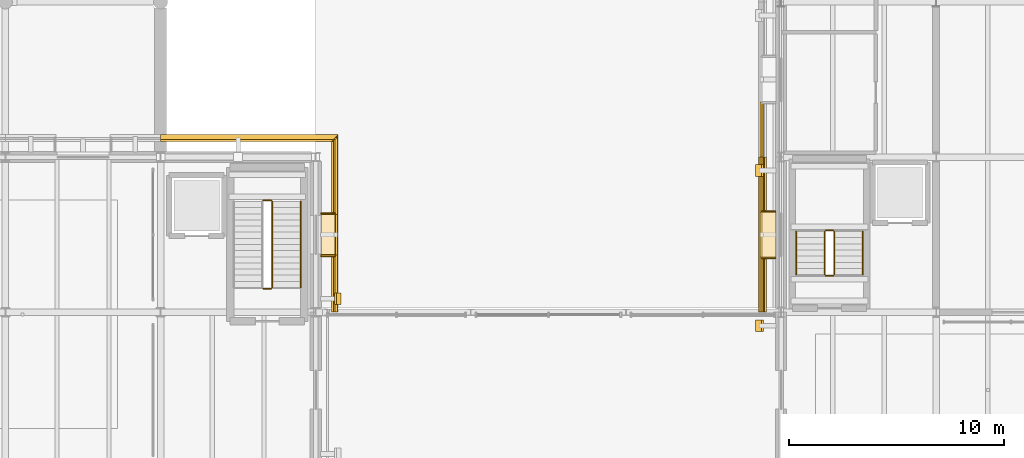
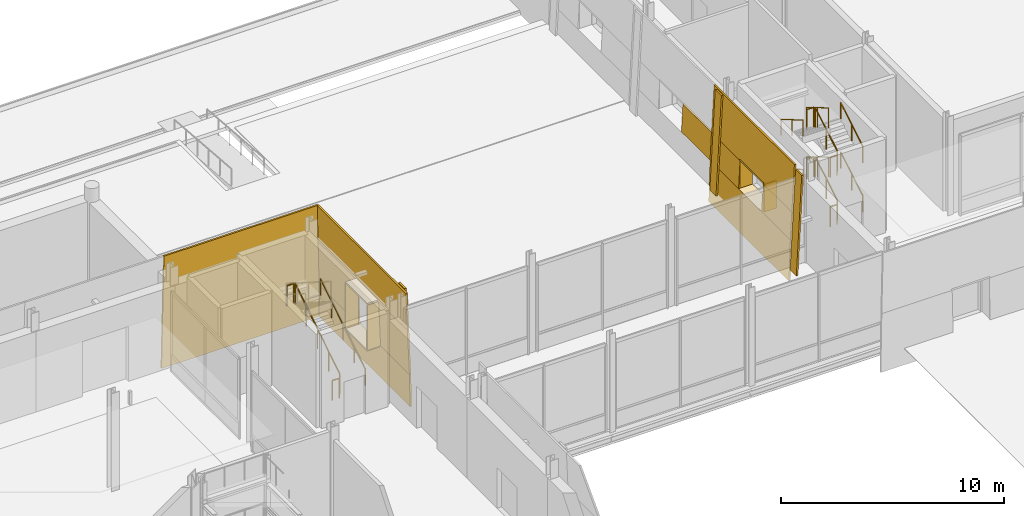
# One storey, part 114 of 120: 21 coverings, 16 railings.
"""IFC4 building model written with IfcOpenShell, lengths in metres."""

from ifc_helpers import new_model, si_unit, direction, frame, origin, origin_2d, place, context, subcontext, project, spatial, polyline, circle, outline, extrude, material, layer, layer_set, type_object, element, save


model = new_model("IFC4")

# Units and contexts
model_context = context("Model", 3, precision=1e-05, world=origin(), true_north=direction((0.0, 1.0)))
body_context = subcontext(model_context, "Body", "Model", "MODEL_VIEW")
ifc_project = project(units=[si_unit("LENGTHUNIT", "METRE"), si_unit("AREAUNIT", "SQUARE_METRE"), si_unit("VOLUMEUNIT", "CUBIC_METRE"), si_unit("PLANEANGLEUNIT", "RADIAN"), si_unit("MASSUNIT", "GRAM", prefix="KILO")], contexts=[model_context])

# Site, building, storey
site_placement = place(None, origin())
site = spatial("IfcSite", under=ifc_project, at=site_placement, CompositionType="ELEMENT")
building_placement = place(site_placement, origin())
building = spatial("IfcBuilding", under=site, at=building_placement, Name="Narikvali Park Central Library", CompositionType="ELEMENT")
storey_placement = place(building_placement, origin())
storey = spatial("IfcBuildingStorey", under=building, at=storey_placement, Name="L00", CompositionType="ELEMENT", Elevation=0.0)

# Coverings
ifc_material_1 = material(Name="White Honed Limestone Cladding", Category="masonry")
ifc_layer_1 = layer(ifc_material_1, 0.0849609375, Name="White Honed Limestone Cladding")
ifc_layer_set_1 = layer_set([ifc_layer_1], Name="White Honed Limestone Cladding")
covering_type_1 = type_object("IfcCoveringType", Name="Battered White Limestone Facade Cladding Panel", PredefinedType="CLADDING", material=ifc_layer_set_1)
covering_1_placement = place(storey_placement, frame((101.97998046875, 86.75, 0.0), z_axis=(0.999163953268, 0.0, 0.040882691821), x_axis=(0.0, 1.0, 0.0)))
element("IfcCovering", 1, at=covering_1_placement, inside=storey, type_object=covering_type_1, Name="V1 L00 E Classical Limestone Pilaster B05", PredefinedType="CLADDING", context=body_context, shape_type="SweptSolid", body=[
    extrude(outline(polyline([(0.0, 0.0), (0.550048828125, 0.0), (0.550048828125, 5.40442069200982), (0.0, 5.40442069200982), (0.0, 0.0)])), origin(), (0.0, 0.0, -1.0), 0.0849609375),
])
covering_2_placement = place(storey_placement, frame((101.840087890625, 86.39990234375, -0.8798828125), z_axis=(0.999785548483, 0.0, 0.020708863899), x_axis=(0.0, 1.0, 0.0)))
element("IfcCovering", 2, at=covering_2_placement, inside=storey, type_object=covering_type_1, Name="V1 L00 E Battered Limestone Spandrel B05", PredefinedType="CLADDING", context=body_context, shape_type="SweptSolid", body=[
    extrude(outline(polyline([(0.0, 0.0), (8.155029296875, 0.0), (8.118408203125, 1.7801669157450828), (0.0, 1.7801669157450828), (0.0, 0.0)])), origin(), (0.0, 0.0, -1.0), 0.0849609375),
])
covering_3_placement = place(storey_placement, frame((101.702880859375, 86.39990234375, 3.35009765625), z_axis=(0.99916170734, 0.0, 0.040937544941), x_axis=(0.0, 1.0, 0.0)))
element("IfcCovering", 3, at=covering_3_placement, inside=storey, type_object=covering_type_1, Name="V1 L00 E Battered Limestone Lintel B05", PredefinedType="CLADDING", context=body_context, shape_type="SweptSolid", body=[
    extrude(outline(polyline([(0.0, 0.0), (8.01806640625, 0.0), (7.93408203125, 2.05152446540155), (0.0, 2.05152446540155), (0.0, 0.0)])), origin(), (0.0, 0.0, -1.0), 0.0849609375),
])
covering_4_placement = place(storey_placement, frame((101.80322265625, 86.39990234375, 0.89990234375), z_axis=(0.999162496768, 0.0, 0.040918272835), x_axis=(0.0, 1.0, 0.0)))
element("IfcCovering", 4, at=covering_4_placement, inside=storey, type_object=covering_type_1, Name="V1 L00 E Battered Limestone Jamb Pier L B05", PredefinedType="CLADDING", context=body_context, shape_type="SweptSolid", body=[
    extrude(outline(polyline([(0.0, 0.0), (2.66015625, 0.0), (2.66015625, 2.4522490790286935), (0.0, 2.4522490790286935), (0.0, 0.0)])), origin(), (0.0, 0.0, -1.0), 0.0849609375),
])
covering_5_placement = place(storey_placement, frame((101.80322265625, 90.93994140625, 0.89990234375), z_axis=(0.999162496768, 0.0, 0.040918272835), x_axis=(0.0, 1.0, 0.0)))
element("IfcCovering", 5, at=covering_5_placement, inside=storey, type_object=covering_type_1, Name="V1 L00 E Battered Limestone Jamb Pier R B05", PredefinedType="CLADDING", context=body_context, shape_type="SweptSolid", body=[
    extrude(outline(polyline([(0.0, 0.0), (3.578369140625, 0.0), (3.47802734375, 2.452249079028694), (0.0, 2.452249079028694), (0.0, 0.0)])), origin(), (0.0, 0.0, -1.0), 0.0849609375),
])
covering_6_placement = place(storey_placement, frame((101.840087890625, 94.639892578125, -0.8798828125), z_axis=(0.0, 0.99938162103, 0.0351621323), x_axis=(-1.0, 0.0, 0.0)))
element("IfcCovering", 6, at=covering_6_placement, inside=storey, type_object=covering_type_1, Name="V1 L00 N Battered Limestone Panel B01", PredefinedType="CLADDING", context=body_context, shape_type="SweptSolid", body=[
    extrude(outline(polyline([(0.0, 0.0), (8.239990234375, 0.0), (8.239990234375, 6.283670846157126), (0.22119140625, 6.283670846157126), (0.0, 0.0)])), origin(), (0.0, 0.0, -1.0), 0.0849609375),
])
covering_7_placement = place(storey_placement, frame((121.430419921875, 96.159912109375, 1.35009765625), z_axis=(-0.998646416446, 0.0, 0.05201283419), x_axis=(0.0, -1.0, 0.0)))
element("IfcCovering", 7, at=covering_7_placement, inside=storey, type_object=covering_type_1, Name="V3 L00 W Battered Limestone Jamb Pier R B03", PredefinedType="CLADDING", context=body_context, shape_type="SweptSolid", body=[
    extrude(outline(polyline([(0.0, 0.0), (2.559814453125, 0.0), (2.559814453125, 1.5020331273394074), (0.0, 1.5020331273394074), (0.0, 0.0)])), origin(), (0.0, 0.0, -1.0), 0.0849609375),
])
covering_8_placement = place(storey_placement, frame((121.219970703125, 93.25, 0.0), z_axis=(-0.998644021289, 0.0, 0.05205880082), x_axis=(0.0, -1.0, 0.0)))
element("IfcCovering", 8, at=covering_8_placement, inside=storey, type_object=covering_type_1, Name="V3 L00 W Classical Limestone Pilaster B04", PredefinedType="CLADDING", context=body_context, shape_type="SweptSolid", body=[
    extrude(outline(polyline([(0.0, 0.0), (0.550048828125, 0.0), (0.550048828125, 5.407234438531675), (0.0, 5.407234438531675), (0.0, 0.0)])), origin(), (0.0, 0.0, -1.0), 0.0849609375),
])
covering_9_placement = place(storey_placement, frame((121.360107421875, 93.60009765625, -0.8798828125), z_axis=(-0.999503282697, 0.0, 0.031514883448), x_axis=(0.0, -1.0, 0.0)))
element("IfcCovering", 9, at=covering_9_placement, inside=storey, type_object=covering_type_1, Name="V3 L00 W Battered Limestone Spandrel B04", PredefinedType="CLADDING", context=body_context, shape_type="SweptSolid", body=[
    extrude(outline(polyline([(0.0, 0.0), (7.2001953125, 0.0), (7.2001953125, 2.2310886891073425), (0.0, 2.2310886891073425), (0.0, 0.0)])), origin(), (0.0, 0.0, -1.0), 0.0849609375),
])
covering_10_placement = place(storey_placement, frame((121.508544921875, 93.60009765625, 2.85009765625), z_axis=(-0.998646209492, 0.0, 0.052016807542), x_axis=(0.0, -1.0, 0.0)))
element("IfcCovering", 10, at=covering_10_placement, inside=storey, type_object=covering_type_1, Name="V3 L00 W Battered Limestone Lintel B04", PredefinedType="CLADDING", context=body_context, shape_type="SweptSolid", body=[
    extrude(outline(polyline([(0.0, 0.0), (7.2001953125, 0.0), (7.2001953125, 2.55326126836899), (0.0, 2.55326126836899), (0.0, 0.0)])), origin(), (0.0, 0.0, -1.0), 0.0849609375),
])
for number, where, z_axis, x_axis, name in (
    (11, (121.430419921875, 93.60009765625, 1.35009765625), (-0.998646416446, 0.0, 0.05201283419), (0.0, -1.0, 0.0), "V3 L00 W Battered Limestone Jamb Pier L B04"),
    (12, (121.430419921875, 88.9599609375, 1.35009765625), (-0.998646416446, 0.0, 0.05201283419), (0.0, -1.0, 0.0), "V3 L00 W Battered Limestone Jamb Pier R B04"),
):
    element("IfcCovering", number, at=place(storey_placement, frame(where, z_axis=z_axis, x_axis=x_axis)), inside=storey, type_object=covering_type_1, Name=name, PredefinedType="CLADDING", context=body_context, shape_type="SweptSolid", body=[
        extrude(outline(polyline([(0.0, 0.0), (2.56005859375, 0.0), (2.56005859375, 1.5020331273394072), (0.0, 1.5020331273394072), (0.0, 0.0)])), origin(), (0.0, 0.0, -1.0), 0.0849609375),
    ])
covering_11_placement = place(storey_placement, frame((121.219970703125, 86.050048828125, 0.0), z_axis=(-0.998644021289, 0.0, 0.05205880082), x_axis=(0.0, -1.0, 0.0)))
element("IfcCovering", 13, at=covering_11_placement, inside=storey, type_object=covering_type_1, Name="V3 L00 W Classical Limestone Pilaster B05", PredefinedType="CLADDING", context=body_context, shape_type="SweptSolid", body=[
    extrude(outline(polyline([(0.0, 0.0), (0.550048828125, 0.0), (0.550048828125, 5.407234438531675), (0.0, 5.407234438531675), (0.0, 0.0)])), origin(), (0.0, 0.0, -1.0), 0.0849609375),
])
ifc_layer_2 = layer(ifc_material_1, 0.080078125, Name="White Honed Limestone Cladding")
ifc_layer_set_2 = layer_set([ifc_layer_2], Name="White Honed Limestone Cladding")
covering_type_2 = type_object("IfcCoveringType", Name="Deep Carved White Limestone Window Reveal", PredefinedType="CLADDING", material=ifc_layer_set_2)
covering_12_placement = place(storey_placement, frame((0.0, 0.0, 3.35009765625)))
element("IfcCovering", 14, at=covering_12_placement, inside=storey, type_object=covering_type_2, Name="Deep Stone Reveal Head V1-RVL-L00-E-B05", PredefinedType="CLADDING", context=body_context, shape_type="SweptSolid", body=[
    extrude(outline(polyline([(101.044921875, 89.02001953125), (101.044921875, 90.97998046875), (101.702880859375, 90.97998046875), (101.702880859375, 89.02001953125), (101.044921875, 89.02001953125)])), origin(), (0.0, 0.0, 1.0), 0.079833984375),
])
covering_13_placement = place(storey_placement, frame((0.0, 0.0, 0.820068359375)))
element("IfcCovering", 15, at=covering_13_placement, inside=storey, type_object=covering_type_2, Name="Deep Stone Reveal Sill V1-RVL-L00-E-B05", PredefinedType="CLADDING", context=body_context, shape_type="SweptSolid", body=[
    extrude(outline(polyline([(101.044921875, 89.02001953125), (101.044921875, 90.97998046875), (101.80322265625, 90.97998046875), (101.80322265625, 89.02001953125), (101.044921875, 89.02001953125)])), origin(), (0.0, 0.0, 1.0), 0.079833984375),
])
covering_14_placement = place(storey_placement, frame((0.0, 0.0, 0.89990234375)))
element("IfcCovering", 16, at=covering_14_placement, inside=storey, type_object=covering_type_2, Name="Deep Stone Reveal Jamb L V1-RVL-L00-E-B05", PredefinedType="CLADDING", context=body_context, shape_type="SweptSolid", body=[
    extrude(outline(polyline([(101.044921875, 88.97998046875), (101.044921875, 89.06005859375), (101.702880859375, 89.06005859375), (101.702880859375, 88.97998046875), (101.044921875, 88.97998046875)])), origin(), (0.0, 0.0, 1.0), 2.4501953125),
])
covering_15_placement = place(storey_placement, frame((0.0, 0.0, 0.89990234375)))
element("IfcCovering", 17, at=covering_15_placement, inside=storey, type_object=covering_type_2, Name="Deep Stone Reveal Jamb R V1-RVL-L00-E-B05", PredefinedType="CLADDING", context=body_context, shape_type="SweptSolid", body=[
    extrude(outline(polyline([(101.044921875, 90.93994140625), (101.044921875, 91.02001953125), (101.702880859375, 91.02001953125), (101.702880859375, 90.93994140625), (101.044921875, 90.93994140625)])), origin(), (0.0, 0.0, 1.0), 2.4501953125),
])
covering_16_placement = place(storey_placement, frame((0.0, 0.0, 2.85009765625)))
element("IfcCovering", 18, at=covering_16_placement, inside=storey, type_object=covering_type_2, Name="Deep Stone Reveal Head V3-RVL-L00-W-B04", PredefinedType="CLADDING", context=body_context, shape_type="SweptSolid", body=[
    extrude(outline(polyline([(122.155029296875, 91.080078125), (122.155029296875, 88.919921875), (121.508544921875, 88.919921875), (121.508544921875, 91.080078125), (122.155029296875, 91.080078125)])), origin(), (0.0, 0.0, 1.0), 0.079833984375),
])
covering_17_placement = place(storey_placement, frame((0.0, 0.0, 1.27001953125)))
element("IfcCovering", 19, at=covering_17_placement, inside=storey, type_object=covering_type_2, Name="Deep Stone Reveal Sill V3-RVL-L00-W-B04", PredefinedType="CLADDING", context=body_context, shape_type="SweptSolid", body=[
    extrude(outline(polyline([(122.155029296875, 91.080078125), (122.155029296875, 88.919921875), (121.430419921875, 88.919921875), (121.430419921875, 91.080078125), (122.155029296875, 91.080078125)])), origin(), (0.0, 0.0, 1.0), 0.080078125),
])
covering_18_placement = place(storey_placement, frame((0.0, 0.0, 1.35009765625)))
element("IfcCovering", 20, at=covering_18_placement, inside=storey, type_object=covering_type_2, Name="Deep Stone Reveal Jamb L V3-RVL-L00-W-B04", PredefinedType="CLADDING", context=body_context, shape_type="SweptSolid", body=[
    extrude(outline(polyline([(122.155029296875, 91.1201171875), (122.155029296875, 91.0400390625), (121.508544921875, 91.0400390625), (121.508544921875, 91.1201171875), (122.155029296875, 91.1201171875)])), origin(), (0.0, 0.0, 1.0), 1.5),
])
covering_19_placement = place(storey_placement, frame((0.0, 0.0, 1.35009765625)))
element("IfcCovering", 21, at=covering_19_placement, inside=storey, type_object=covering_type_2, Name="Deep Stone Reveal Jamb R V3-RVL-L00-W-B04", PredefinedType="CLADDING", context=body_context, shape_type="SweptSolid", body=[
    extrude(outline(polyline([(122.155029296875, 88.9599609375), (122.155029296875, 88.8798828125), (121.508544921875, 88.8798828125), (121.508544921875, 88.9599609375), (122.155029296875, 88.9599609375)])), origin(), (0.0, 0.0, 1.0), 1.5),
])

# Railings
ifc_material_2 = material(Name="Brushed Stainless Steel S355", Category="steel")
ifc_layer_3 = layer(ifc_material_2, 0.044921875, Name="Brushed Stainless Steel S355")
ifc_layer_set_3 = layer_set([ifc_layer_3], Name="Brushed Stainless Steel S355")
railing_type_1 = type_object("IfcRailingType", Name="Stair Tubular Steel Handrail 900", PredefinedType="HANDRAIL", material=ifc_layer_set_3)
railing_1_placement = place(storey_placement, frame((100.10009765625, 87.550048828125, 0.179931640625)))
element("IfcRailing", 22, at=railing_1_placement, inside=storey, type_object=railing_type_1, Name="L00 ST-02 stair handrail 1", PredefinedType="HANDRAIL", context=body_context, shape_type="SweptSolid", body=[
    extrude(circle(Radius=0.02392578125, at=origin_2d()), frame((0.0, 0.0, 0.8759765625), z_axis=(0.0, 0.845486444383, 0.533996884227), x_axis=(-1.0, 0.0, 0.0)), (0.0, 0.0, 1.0), 4.71923828125),
    extrude(circle(Radius=0.02099609375, at=origin_2d()), origin(), (0.0, 0.0, 1.0), 0.851806640625),
    extrude(circle(Radius=0.02099609375, at=origin_2d()), frame((0.0, 0.99755859375, 0.6298828125)), (0.0, 0.0, 1.0), 0.851806640625),
    extrude(circle(Radius=0.02099609375, at=origin_2d()), frame((0.0, 1.9951171875, 1.260009765625)), (0.0, 0.0, 1.0), 0.851806640625),
    extrude(circle(Radius=0.02099609375, at=origin_2d()), frame((0.0, 2.992431640625, 1.89013671875)), (0.0, 0.0, 1.0), 0.851806640625),
    extrude(circle(Radius=0.02099609375, at=origin_2d()), frame((0.0, 3.989990234375, 2.52001953125)), (0.0, 0.0, 1.0), 0.851806640625),
])
railing_2_placement = place(storey_placement, frame((126.199951171875, 88.14990234375, 0.168701171875)))
element("IfcRailing", 23, at=railing_2_placement, inside=storey, type_object=railing_type_1, Name="L00 ST-05 stair handrail 1", PredefinedType="HANDRAIL", context=body_context, shape_type="SweptSolid", body=[
    extrude(circle(Radius=0.02392578125, at=origin_2d()), frame((0.0, 0.0, 0.8759765625), z_axis=(0.0, 0.860460811416, 0.50951662585), x_axis=(-1.0, 0.0, 0.0)), (0.0, 0.0, 1.0), 2.318603515625),
    extrude(circle(Radius=0.02099609375, at=origin_2d()), origin(), (0.0, 0.0, 1.0), 0.851806640625),
    extrude(circle(Radius=0.02099609375, at=origin_2d()), frame((0.0, 0.99755859375, 0.5908203125)), (0.0, 0.0, 1.0), 0.851806640625),
    extrude(circle(Radius=0.02099609375, at=origin_2d()), frame((0.0, 1.9951171875, 1.181396484375)), (0.0, 0.0, 1.0), 0.851806640625),
])
railing_3_placement = place(storey_placement, frame((123.10009765625, 90.14501953125, 1.518798828125)))
element("IfcRailing", 24, at=railing_3_placement, inside=storey, type_object=railing_type_1, Name="L00 ST-05 stair handrail 2", PredefinedType="HANDRAIL", context=body_context, shape_type="SweptSolid", body=[
    extrude(circle(Radius=0.02392578125, at=origin_2d()), frame((0.0, 0.0, 0.8759765625), z_axis=(0.0, -0.860506973166, 0.509438660815), x_axis=(1.0, 0.0, 0.0)), (0.0, 0.0, 1.0), 2.318603515625),
    extrude(circle(Radius=0.02099609375, at=origin_2d()), origin(), (0.0, 0.0, 1.0), 0.851806640625),
    extrude(circle(Radius=0.02099609375, at=origin_2d()), frame((0.0, -0.99755859375, 0.590576171875)), (0.0, 0.0, 1.0), 0.851806640625),
    extrude(circle(Radius=0.02099609375, at=origin_2d()), frame((0.0, -1.9951171875, 1.18115234375)), (0.0, 0.0, 1.0), 0.851806640625),
])
railing_4_placement = place(storey_placement, frame((126.199951171875, 88.14990234375, 2.86865234375)))
element("IfcRailing", 25, at=railing_4_placement, inside=storey, type_object=railing_type_1, Name="L00 ST-05 stair handrail 3", PredefinedType="HANDRAIL", context=body_context, shape_type="SweptSolid", body=[
    extrude(circle(Radius=0.02392578125, at=origin_2d()), frame((0.0, 0.0, 0.8759765625), z_axis=(0.0, 0.860460811416, 0.50951662585), x_axis=(-1.0, 0.0, 0.0)), (0.0, 0.0, 1.0), 2.318603515625),
    extrude(circle(Radius=0.02099609375, at=origin_2d()), origin(), (0.0, 0.0, 1.0), 0.851806640625),
    extrude(circle(Radius=0.02099609375, at=origin_2d()), frame((0.0, 0.99755859375, 0.5908203125)), (0.0, 0.0, 1.0), 0.851806640625),
    extrude(circle(Radius=0.02099609375, at=origin_2d()), frame((0.0, 1.9951171875, 1.181396484375)), (0.0, 0.0, 1.0), 0.851806640625),
])
railing_5_placement = place(storey_placement, frame((123.10009765625, 90.14501953125, 4.21875)))
element("IfcRailing", 26, at=railing_5_placement, inside=storey, type_object=railing_type_1, Name="L00 ST-05 stair handrail 4", PredefinedType="HANDRAIL", context=body_context, shape_type="SweptSolid", body=[
    extrude(circle(Radius=0.02392578125, at=origin_2d()), frame((0.0, 0.0, 0.8759765625), z_axis=(0.0, -0.860506973166, 0.509438660815), x_axis=(1.0, 0.0, 0.0)), (0.0, 0.0, 1.0), 2.318603515625),
    extrude(circle(Radius=0.02099609375, at=origin_2d()), origin(), (0.0, 0.0, 1.0), 0.851806640625),
    extrude(circle(Radius=0.02099609375, at=origin_2d()), frame((0.0, -0.99755859375, 0.590576171875)), (0.0, 0.0, 1.0), 0.851806640625),
    extrude(circle(Radius=0.02099609375, at=origin_2d()), frame((0.0, -1.9951171875, 1.18115234375)), (0.0, 0.0, 1.0), 0.851806640625),
])
ifc_material_3 = material(Name="Powder-Coated Steel S275", Category="steel")
ifc_layer_4 = layer(ifc_material_3, 0.050048828125, Name="Powder-Coated Steel S275")
ifc_layer_set_4 = layer_set([ifc_layer_4], Name="Powder-Coated Steel S275")
railing_type_2 = type_object("IfcRailingType", Name="Stair Well Steel Guardrail 1100", PredefinedType="GUARDRAIL", material=ifc_layer_set_4)
railing_6_placement = place(storey_placement, frame((98.780029296875, 87.550048828125, 0.179931640625)))
element("IfcRailing", 27, at=railing_6_placement, inside=storey, type_object=railing_type_2, Name="L00 ST-02 stair guard 1", PredefinedType="GUARDRAIL", context=body_context, shape_type="SweptSolid", body=[
    extrude(circle(Radius=0.02392578125, at=origin_2d()), frame((0.0, 0.0, 1.076171875), z_axis=(0.0, 0.845486444383, 0.533996884227), x_axis=(-1.0, 0.0, 0.0)), (0.0, 0.0, 1.0), 4.71923828125),
    extrude(circle(Radius=0.02099609375, at=origin_2d()), origin(), (0.0, 0.0, 1.0), 1.052001953125),
    extrude(circle(Radius=0.02099609375, at=origin_2d()), frame((0.0, 0.99755859375, 0.6298828125)), (0.0, 0.0, 1.0), 1.052001953125),
    extrude(circle(Radius=0.02099609375, at=origin_2d()), frame((0.0, 1.9951171875, 1.260009765625)), (0.0, 0.0, 1.0), 1.052001953125),
    extrude(circle(Radius=0.02099609375, at=origin_2d()), frame((0.0, 2.992431640625, 1.89013671875)), (0.0, 0.0, 1.0), 1.052001953125),
    extrude(circle(Radius=0.02099609375, at=origin_2d()), frame((0.0, 3.989990234375, 2.52001953125)), (0.0, 0.0, 1.0), 1.052001953125),
])
for number, where, name in (
    (28, (98.72998046875, 91.590087890625, 2.699951171875), "L00 ST-02 stair guard 2"),
    (29, (98.72998046875, 87.5, 0.0), "L00 ST-02 stair guard 4"),
):
    element("IfcRailing", number, at=place(storey_placement, frame(where)), inside=storey, type_object=railing_type_2, Name=name, PredefinedType="GUARDRAIL", context=body_context, shape_type="SweptSolid", body=[
        extrude(circle(Radius=0.02392578125, at=origin_2d()), frame((0.0, 0.0, 1.076171875), z_axis=(-1.0, 0.0, 0.0), x_axis=(0.0, -1.0, 0.0)), (0.0, 0.0, 1.0), 0.35986328125),
        extrude(circle(Radius=0.02099609375, at=origin_2d()), origin(), (0.0, 0.0, 1.0), 1.052001953125),
        extrude(circle(Radius=0.02099609375, at=origin_2d()), frame((-0.35986328125, 0.0, 0.0)), (0.0, 0.0, 1.0), 1.052001953125),
    ])
railing_7_placement = place(storey_placement, frame((124.8798828125, 88.14990234375, 0.168701171875)))
element("IfcRailing", 30, at=railing_7_placement, inside=storey, type_object=railing_type_2, Name="L00 ST-05 stair guard 1", PredefinedType="GUARDRAIL", context=body_context, shape_type="SweptSolid", body=[
    extrude(circle(Radius=0.02392578125, at=origin_2d()), frame((0.0, 0.0, 1.076171875), z_axis=(0.0, 0.860460811416, 0.50951662585), x_axis=(-1.0, 0.0, 0.0)), (0.0, 0.0, 1.0), 2.318603515625),
    extrude(circle(Radius=0.02099609375, at=origin_2d()), origin(), (0.0, 0.0, 1.0), 1.052001953125),
    extrude(circle(Radius=0.02099609375, at=origin_2d()), frame((0.0, 0.99755859375, 0.5908203125)), (0.0, 0.0, 1.0), 1.052001953125),
    extrude(circle(Radius=0.02099609375, at=origin_2d()), frame((0.0, 1.9951171875, 1.181396484375)), (0.0, 0.0, 1.0), 1.052001953125),
])
railing_8_placement = place(storey_placement, frame((124.830078125, 90.195068359375, 1.35009765625)))
element("IfcRailing", 31, at=railing_8_placement, inside=storey, type_object=railing_type_2, Name="L00 ST-05 stair guard 2", PredefinedType="GUARDRAIL", context=body_context, shape_type="SweptSolid", body=[
    extrude(circle(Radius=0.02392578125, at=origin_2d()), frame((0.0, 0.0, 1.076171875), z_axis=(-1.0, 0.0, 0.0), x_axis=(0.0, -1.0, 0.0)), (0.0, 0.0, 1.0), 0.360107421875),
    extrude(circle(Radius=0.02099609375, at=origin_2d()), origin(), (0.0, 0.0, 1.0), 1.052001953125),
    extrude(circle(Radius=0.02099609375, at=origin_2d()), frame((-0.360107421875, 0.0, 0.0)), (0.0, 0.0, 1.0), 1.052001953125),
])
railing_9_placement = place(storey_placement, frame((124.419921875, 90.14501953125, 1.518798828125)))
element("IfcRailing", 32, at=railing_9_placement, inside=storey, type_object=railing_type_2, Name="L00 ST-05 stair guard 3", PredefinedType="GUARDRAIL", context=body_context, shape_type="SweptSolid", body=[
    extrude(circle(Radius=0.02392578125, at=origin_2d()), frame((0.0, 0.0, 1.076171875), z_axis=(0.0, -0.860506973166, 0.509438660815), x_axis=(1.0, 0.0, 0.0)), (0.0, 0.0, 1.0), 2.318603515625),
    extrude(circle(Radius=0.02099609375, at=origin_2d()), origin(), (0.0, 0.0, 1.0), 1.052001953125),
    extrude(circle(Radius=0.02099609375, at=origin_2d()), frame((0.0, -0.99755859375, 0.590576171875)), (0.0, 0.0, 1.0), 1.052001953125),
    extrude(circle(Radius=0.02099609375, at=origin_2d()), frame((0.0, -1.9951171875, 1.18115234375)), (0.0, 0.0, 1.0), 1.052001953125),
])
railing_10_placement = place(storey_placement, frame((124.830078125, 88.10009765625, 2.699951171875)))
element("IfcRailing", 33, at=railing_10_placement, inside=storey, type_object=railing_type_2, Name="L00 ST-05 stair guard 4", PredefinedType="GUARDRAIL", context=body_context, shape_type="SweptSolid", body=[
    extrude(circle(Radius=0.02392578125, at=origin_2d()), frame((0.0, 0.0, 1.076171875), z_axis=(-1.0, 0.0, 0.0), x_axis=(0.0, -1.0, 0.0)), (0.0, 0.0, 1.0), 0.360107421875),
    extrude(circle(Radius=0.02099609375, at=origin_2d()), origin(), (0.0, 0.0, 1.0), 1.052001953125),
    extrude(circle(Radius=0.02099609375, at=origin_2d()), frame((-0.360107421875, 0.0, 0.0)), (0.0, 0.0, 1.0), 1.052001953125),
])
railing_11_placement = place(storey_placement, frame((124.8798828125, 88.14990234375, 2.86865234375)))
element("IfcRailing", 34, at=railing_11_placement, inside=storey, type_object=railing_type_2, Name="L00 ST-05 stair guard 5", PredefinedType="GUARDRAIL", context=body_context, shape_type="SweptSolid", body=[
    extrude(circle(Radius=0.02392578125, at=origin_2d()), frame((0.0, 0.0, 1.076171875), z_axis=(0.0, 0.860460811416, 0.50951662585), x_axis=(-1.0, 0.0, 0.0)), (0.0, 0.0, 1.0), 2.318603515625),
    extrude(circle(Radius=0.02099609375, at=origin_2d()), origin(), (0.0, 0.0, 1.0), 1.052001953125),
    extrude(circle(Radius=0.02099609375, at=origin_2d()), frame((0.0, 0.99755859375, 0.5908203125)), (0.0, 0.0, 1.0), 1.052001953125),
    extrude(circle(Radius=0.02099609375, at=origin_2d()), frame((0.0, 1.9951171875, 1.181396484375)), (0.0, 0.0, 1.0), 1.052001953125),
])
railing_12_placement = place(storey_placement, frame((124.830078125, 90.195068359375, 4.050048828125)))
element("IfcRailing", 35, at=railing_12_placement, inside=storey, type_object=railing_type_2, Name="L00 ST-05 stair guard 6", PredefinedType="GUARDRAIL", context=body_context, shape_type="SweptSolid", body=[
    extrude(circle(Radius=0.02392578125, at=origin_2d()), frame((0.0, 0.0, 1.076171875), z_axis=(-1.0, 0.0, 0.0), x_axis=(0.0, -1.0, 0.0)), (0.0, 0.0, 1.0), 0.360107421875),
    extrude(circle(Radius=0.02099609375, at=origin_2d()), origin(), (0.0, 0.0, 1.0), 1.052001953125),
    extrude(circle(Radius=0.02099609375, at=origin_2d()), frame((-0.360107421875, 0.0, 0.0)), (0.0, 0.0, 1.0), 1.052001953125),
])
railing_13_placement = place(storey_placement, frame((124.419921875, 90.14501953125, 4.21875)))
element("IfcRailing", 36, at=railing_13_placement, inside=storey, type_object=railing_type_2, Name="L00 ST-05 stair guard 7", PredefinedType="GUARDRAIL", context=body_context, shape_type="SweptSolid", body=[
    extrude(circle(Radius=0.02392578125, at=origin_2d()), frame((0.0, 0.0, 1.076171875), z_axis=(0.0, -0.860506973166, 0.509438660815), x_axis=(1.0, 0.0, 0.0)), (0.0, 0.0, 1.0), 2.318603515625),
    extrude(circle(Radius=0.02099609375, at=origin_2d()), origin(), (0.0, 0.0, 1.0), 1.052001953125),
    extrude(circle(Radius=0.02099609375, at=origin_2d()), frame((0.0, -0.99755859375, 0.590576171875)), (0.0, 0.0, 1.0), 1.052001953125),
    extrude(circle(Radius=0.02099609375, at=origin_2d()), frame((0.0, -1.9951171875, 1.18115234375)), (0.0, 0.0, 1.0), 1.052001953125),
])
railing_14_placement = place(storey_placement, frame((124.830078125, 88.10009765625, 0.0)))
element("IfcRailing", 37, at=railing_14_placement, inside=storey, type_object=railing_type_2, Name="L00 ST-05 stair guard 8", PredefinedType="GUARDRAIL", context=body_context, shape_type="SweptSolid", body=[
    extrude(circle(Radius=0.02392578125, at=origin_2d()), frame((0.0, 0.0, 1.076171875), z_axis=(-1.0, 0.0, 0.0), x_axis=(0.0, -1.0, 0.0)), (0.0, 0.0, 1.0), 0.360107421875),
    extrude(circle(Radius=0.02099609375, at=origin_2d()), origin(), (0.0, 0.0, 1.0), 1.052001953125),
    extrude(circle(Radius=0.02099609375, at=origin_2d()), frame((-0.360107421875, 0.0, 0.0)), (0.0, 0.0, 1.0), 1.052001953125),
])

save(model, "model.ifc")
